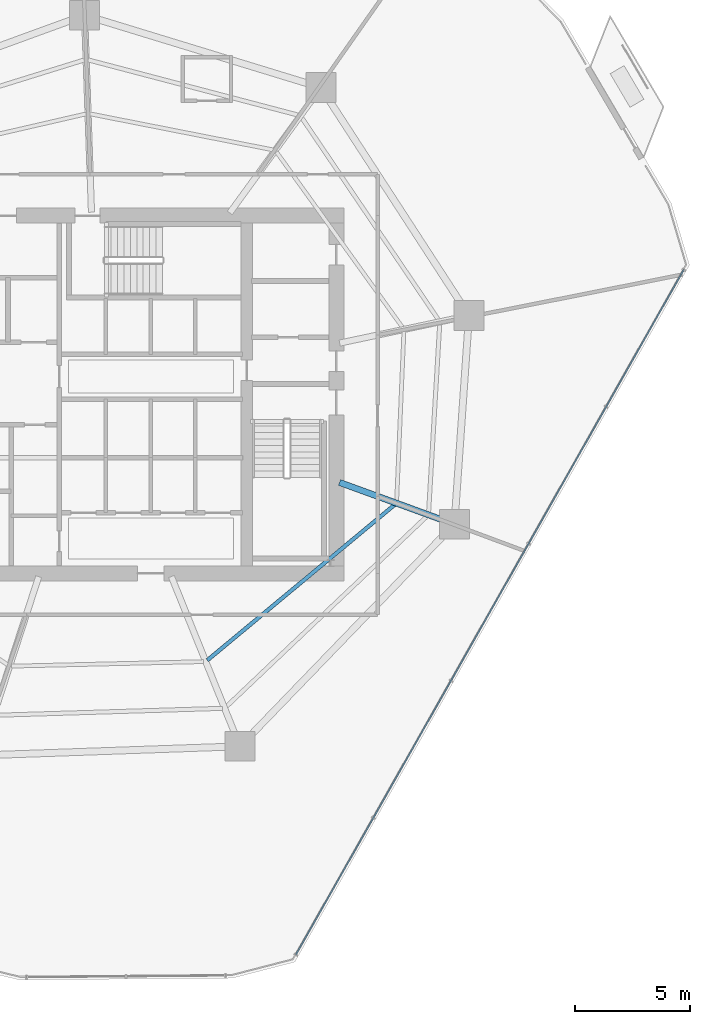
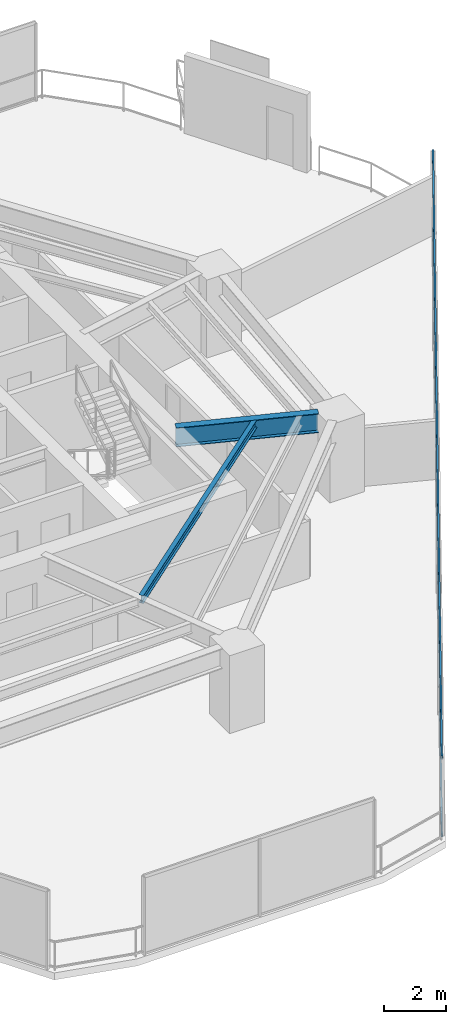
# One storey, part 13 of 31: 2 beams, 2 members, 1 element without a shape of its own.
"""IFC4 building model written with IfcOpenShell, lengths in metres."""

from ifc_helpers import new_model, si_unit, direction, frame, origin, origin_2d, place, context, subcontext, project, spatial, hollow_rectangle, i_section, extrude, material, layer, layer_set, material_profile, profile_set, type_object, element, aggregate, save


model = new_model("IFC4")

# Units and contexts
model_context = context("Model", 3, precision=1e-05, world=origin(), true_north=direction((0.0, 1.0)))
body_context = subcontext(model_context, "Body", "Model", "MODEL_VIEW")
ifc_project = project(units=[si_unit("LENGTHUNIT", "METRE"), si_unit("AREAUNIT", "SQUARE_METRE"), si_unit("VOLUMEUNIT", "CUBIC_METRE"), si_unit("PLANEANGLEUNIT", "RADIAN"), si_unit("MASSUNIT", "GRAM", prefix="KILO")], contexts=[model_context])

# Site, building, storey
site_placement = place(None, origin())
site = spatial("IfcSite", under=ifc_project, at=site_placement, CompositionType="ELEMENT")
building_placement = place(site_placement, origin())
building = spatial("IfcBuilding", under=site, at=building_placement, Name="Qarnah Convention Tower", CompositionType="ELEMENT")
storey_placement = place(building_placement, frame((0.0, 0.0, 68.39990234375)))
storey = spatial("IfcBuildingStorey", under=building, at=storey_placement, Name="L17", CompositionType="ELEMENT", Elevation=68.39990234375)

# Beams
ifc_material_1 = material(Name="Structural steel S355JR", Category="steel")
ifc_material_profile_1 = material_profile(ifc_material_1, i_section(OverallWidth=0.166015625, OverallDepth=0.31201171875, WebThickness=0.007080078125, FlangeThickness=0.010986328125, at=origin_2d()), Name="W310X45")
ifc_profile_set_1 = profile_set([ifc_material_profile_1], Name="Structural steel S355JR")
beam_type_1 = type_object("IfcBeamType", Name="BM-JST-W310", PredefinedType="JOIST", material=ifc_profile_set_1)
beam_1_placement = place(storey_placement, frame((41.97509765625, 14.80908203125, 2.93408203125), z_axis=(0.769463521511, 0.638690761687, 0.0), x_axis=(-0.638690761687, 0.769463521511, 0.0)))
element("IfcBeam", 1, at=beam_1_placement, inside=storey, type_object=beam_type_1, Name="L17 joist BM-L17-IJST-08", PredefinedType="JOIST", context=body_context, shape_type="SweptSolid", body=[
    extrude(i_section(OverallWidth=0.166015625, OverallDepth=0.31201171875, WebThickness=0.007080078125, FlangeThickness=0.010986328125, at=origin_2d()), origin(), (0.0, 0.0, 1.0), 10.6357421875),
])
ifc_material_profile_2 = material_profile(ifc_material_1, i_section(OverallWidth=0.26806640625, OverallDepth=0.760009765625, WebThickness=0.014892578125, FlangeThickness=0.02197265625, at=origin_2d()), Name="W760X185")
ifc_profile_set_2 = profile_set([ifc_material_profile_2], Name="Structural steel S355JR")
beam_type_2 = type_object("IfcBeamType", Name="BM-RAD-W760", PredefinedType="BEAM", material=ifc_profile_set_2)
beam_2_placement = place(storey_placement, frame((47.740966796875, 22.56396484375, 2.710205078125), z_axis=(0.939656930297, -0.342118186224, 0.0), x_axis=(0.342118186224, 0.939656930297, 0.0)))
element("IfcBeam", 2, at=beam_2_placement, inside=storey, type_object=beam_type_2, Name="L17 beam BM-L17-RAD-09", PredefinedType="BEAM", context=body_context, shape_type="SweptSolid", body=[
    extrude(i_section(OverallWidth=0.26806640625, OverallDepth=0.760009765625, WebThickness=0.014892578125, FlangeThickness=0.02197265625, at=origin_2d()), origin(), (0.0, 0.0, 1.0), 4.70263671875),
])

# Curtain wall, members
ifc_material_2 = material(Name="Tempered Low-E dark glass", Category="glass")
ifc_layer = layer(ifc_material_2, 0.16796875)
ifc_layer_set = layer_set([ifc_layer], Name="Tempered Low-E dark glass")
curtain_wall_type = type_object("IfcCurtainWallType", Name="CWS-01", PredefinedType="NOTDEFINED", material=ifc_layer_set)
curtain_wall_placement = place(storey_placement, origin())
curtain_wall = element("IfcCurtainWall", 3, at=curtain_wall_placement, inside=storey, type_object=curtain_wall_type, Name="L17 unitised curtain wall CW-L17-F1", PredefinedType="NOTDEFINED")
ifc_material_3 = material(Name="Black anodised aluminium", Category="aluminium")
ifc_material_profile_3 = material_profile(ifc_material_3, hollow_rectangle(XDim=0.06005859375, YDim=0.1298828125, WallThickness=0.00390625, at=origin_2d()), Name="TRN-60X130")
ifc_profile_set_3 = profile_set([ifc_material_profile_3], Name="Black anodised aluminium")
member_type = type_object("IfcMemberType", Name="TRN-T1", PredefinedType="USERDEFINED", material=ifc_profile_set_3)
member_1_placement = place(storey_placement, frame((62.75390625, 31.843017578125, 0.0), z_axis=(-0.492741277889, -0.870175863297, 0.0), x_axis=(0.870175863297, -0.492741277889, 0.0)))
member_1 = element("IfcMember", 4, at=member_1_placement, type_object=member_type, Name="CW-L17-F1 transom 1", ObjectType="TRANSOM", PredefinedType="USERDEFINED", context=body_context, shape_type="SweptSolid", body=[
    extrude(hollow_rectangle(XDim=0.06005859375, YDim=0.1298828125, WallThickness=0.00390625, at=origin_2d()), origin(), (0.0, 0.0, 1.0), 34.33447265625),
])
member_2_placement = place(storey_placement, frame((62.75390625, 31.843017578125, 3.090087890625), z_axis=(-0.492741277889, -0.870175863297, 0.0), x_axis=(0.870175863297, -0.492741277889, 0.0)))
member_2 = element("IfcMember", 5, at=member_2_placement, type_object=member_type, Name="CW-L17-F1 transom 2", ObjectType="TRANSOM", PredefinedType="USERDEFINED", context=body_context, shape_type="SweptSolid", body=[
    extrude(hollow_rectangle(XDim=0.06005859375, YDim=0.1298828125, WallThickness=0.00390625, at=origin_2d()), origin(), (0.0, 0.0, 1.0), 34.33447265625),
])
aggregate(curtain_wall, [member_1, member_2])

save(model, "model.ifc")
